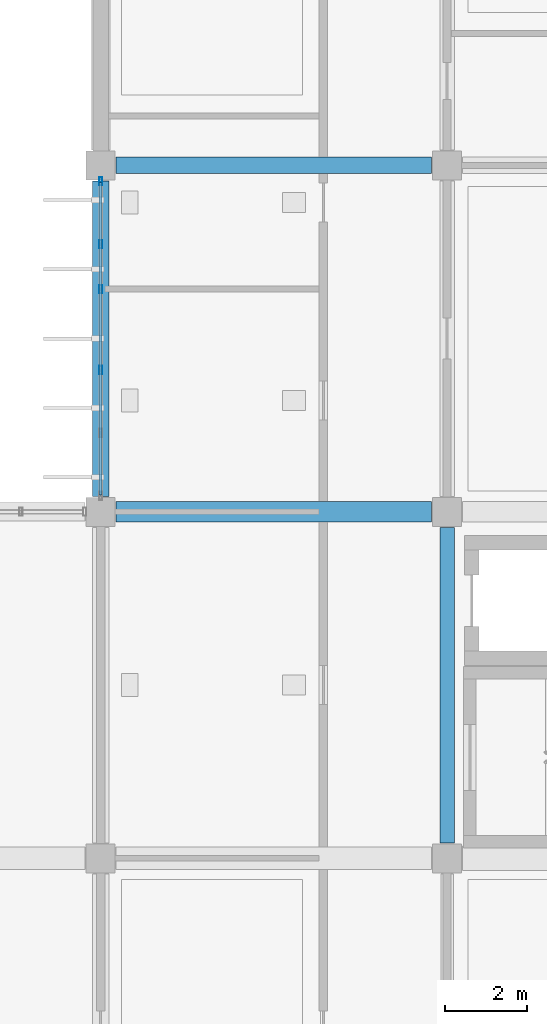
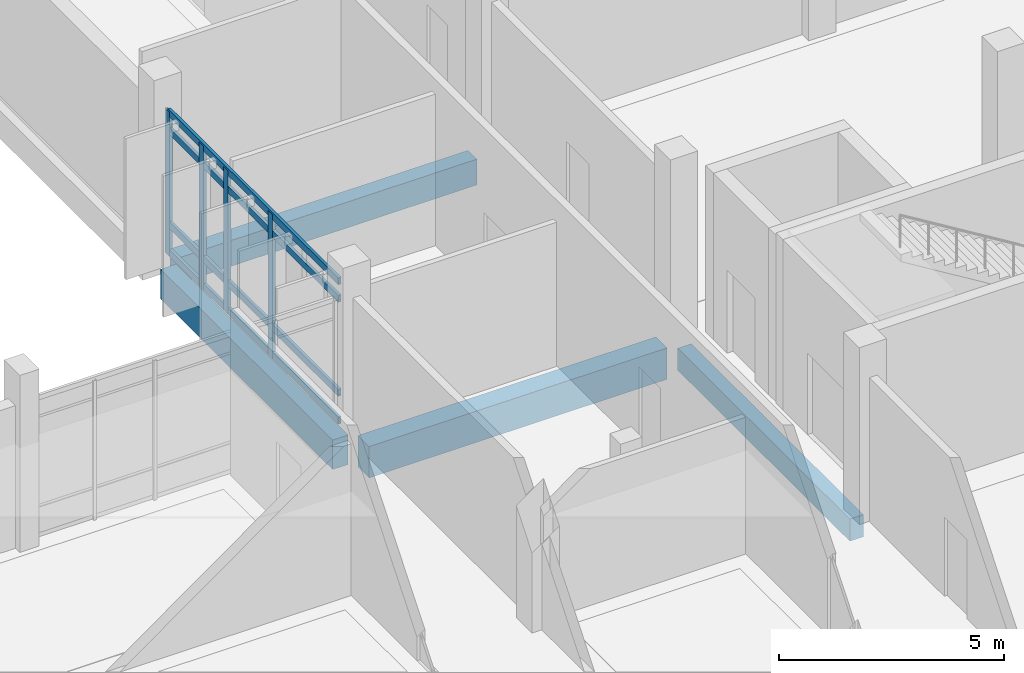
# One storey, part 16 of 95: 8 members, 4 beams, 1 element without a shape of its own.
"""IFC4 building model written with IfcOpenShell, lengths in metres."""

import ifcopenshell
import ifcopenshell.guid

model = None  # the IFC model being written
_history = None  # IfcOwnerHistory: only IFC2X3 demands one
_inside = {}  # id of a spatial element -> (the spatial element, [elements in it])
_under = {}  # id of a project, library or spatial element -> (it, [spatial elements below it])
_declared = {}  # id of a project -> (the project, [libraries it declares])
_typed = {}  # id of a type object -> (the type object, [elements of that type])
_made_of = {}  # id of a material, layer set ... -> (it, [elements and type objects made of it])


def new_model(schema):
    """Start an empty IFC model of exactly this schema.

    Asked for "IFC4X3", IfcOpenShell would pick the latest addendum, in which some entities
    have other attributes; the version numbers below select the first issue.
    IFC2X3 requires an IfcOwnerHistory on every rooted entity: one is made here for all.
    """
    global model, _history
    if schema == "IFC4X3":
        model = ifcopenshell.file(schema_version=(4, 3, 0, 0))
    else:
        model = ifcopenshell.file(schema=schema)
    _inside.clear()
    _under.clear()
    _declared.clear()
    _typed.clear()
    _made_of.clear()
    _history = None
    if model.schema == "IFC2X3":
        org = make("IfcOrganization", Name="unknown")
        user = make(
            "IfcPersonAndOrganization",
            ThePerson=make("IfcPerson", FamilyName="unknown"),
            TheOrganization=org,
        )
        app = make(
            "IfcApplication",
            ApplicationDeveloper=org,
            Version="unknown",
            ApplicationFullName="unknown",
            ApplicationIdentifier="unknown",
        )
        _history = make(
            "IfcOwnerHistory",
            OwningUser=user,
            OwningApplication=app,
            ChangeAction="ADDED",
            CreationDate=0,
        )
    return model


def make(cls, **values):
    """One entity of the class cls with the attributes given. An attribute that is None is left unset."""
    return model.create_entity(
        cls, **{name: value for name, value in values.items() if value is not None}
    )


def rooted(cls, **values):
    """An entity with a GlobalId (a new one), such as an element, a storey or a relation."""
    return make(cls, GlobalId=ifcopenshell.guid.new(), OwnerHistory=_history, **values)


def si_unit(unit_type, name, prefix=None):
    """IfcSIUnit, for example si_unit("LENGTHUNIT", "METRE", prefix="MILLI")."""
    return make("IfcSIUnit", UnitType=unit_type, Prefix=prefix, Name=name)


def assignment(units):
    """IfcUnitAssignment: the units of a project."""
    return None if units is None else make("IfcUnitAssignment", Units=units)


def point(xyz):
    """IfcCartesianPoint."""
    return None if xyz is None else make("IfcCartesianPoint", Coordinates=xyz)


def direction(xyz):
    """IfcDirection."""
    return None if xyz is None else make("IfcDirection", DirectionRatios=xyz)


def frame(location, z_axis=None, x_axis=None):
    """IfcAxis2Placement3D, a coordinate frame: its origin and axes. An axis left out is left unset."""
    return make(
        "IfcAxis2Placement3D",
        Location=point(location),
        Axis=direction(z_axis),
        RefDirection=direction(x_axis),
    )


def frame_2d(location, x_axis=None):
    """IfcAxis2Placement2D, a coordinate frame in the plane: its origin and x axis."""
    return make(
        "IfcAxis2Placement2D", Location=point(location), RefDirection=direction(x_axis)
    )


def origin():
    """The frame at (0, 0, 0) with its axes left unset."""
    return frame((0.0, 0.0, 0.0))


def origin_2d():
    """The frame at (0, 0) in the plane with its x axis left unset."""
    return frame_2d((0.0, 0.0))


def place(relative_to, where):
    """IfcLocalPlacement: puts the frame where relative to a parent placement (None: the world)."""
    return make(
        "IfcLocalPlacement", PlacementRelTo=relative_to, RelativePlacement=where
    )


def context(
    kind, dimensions, precision=None, world=None, true_north=None, identifier=None
):
    """IfcGeometricRepresentationContext, for example the 3D "Model" context."""
    return make(
        "IfcGeometricRepresentationContext",
        ContextIdentifier=identifier,
        ContextType=kind,
        CoordinateSpaceDimension=dimensions,
        Precision=precision,
        WorldCoordinateSystem=world,
        TrueNorth=true_north,
    )


def subcontext(parent, identifier, kind, view, scale=None):
    """IfcGeometricRepresentationSubContext, for example "Body" below "Model"."""
    return make(
        "IfcGeometricRepresentationSubContext",
        ContextIdentifier=identifier,
        ContextType=kind,
        ParentContext=parent,
        TargetScale=scale,
        TargetView=view,
    )


def project(units=None, contexts=None):
    """IfcProject with its units and contexts."""
    return rooted(
        "IfcProject",
        Name="project",
        RepresentationContexts=contexts,
        UnitsInContext=assignment(units),
    )


def spatial(cls, under=None, at=None, **own):
    """A site, building, storey or space (cls), placed at a placement, below another one or the project."""
    s = rooted(cls, ObjectPlacement=at, **own)
    if under is not None:
        _under.setdefault(under.id(), (under, []))[1].append(s)
    return s


def profile(cls, at=None, kind="AREA", **sizes):
    """A parametric profile (cls). Its sizes go by their IFC names, for example OverallWidth=200.0."""
    return make(cls, ProfileType=kind, Position=at, **sizes)


def rectangle(**sizes):
    """IfcRectangleProfileDef."""
    return profile("IfcRectangleProfileDef", **sizes)


def hollow_rectangle(**sizes):
    """IfcRectangleHollowProfileDef."""
    return profile("IfcRectangleHollowProfileDef", **sizes)


def extrude(swept, where, along, depth):
    """IfcExtrudedAreaSolid: the profile swept, set in the frame where, extruded along a direction by depth."""
    return make(
        "IfcExtrudedAreaSolid",
        SweptArea=swept,
        Position=where,
        ExtrudedDirection=direction(along),
        Depth=depth,
    )


def shape(context_of_items, identifier, shape_type, items):
    """IfcShapeRepresentation: the items that make up one representation, for example the "Body"."""
    return make(
        "IfcShapeRepresentation",
        ContextOfItems=context_of_items,
        RepresentationIdentifier=identifier,
        RepresentationType=shape_type,
        Items=items,
    )


def material(Name=None, Category=None):
    """IfcMaterial."""
    return make("IfcMaterial", Name=Name, Category=Category)


def layer(
    of_material, thickness, ventilated=None, Name=None, Category=None, Priority=None
):
    """IfcMaterialLayer: one layer of a wall or slab, of a material (None: an air gap)."""
    return make(
        "IfcMaterialLayer",
        Material=of_material,
        LayerThickness=thickness,
        IsVentilated=ventilated,
        Name=Name,
        Category=Category,
        Priority=Priority,
    )


def layer_set(layers, Name=None):
    """IfcMaterialLayerSet."""
    return make("IfcMaterialLayerSet", MaterialLayers=layers, LayerSetName=Name)


def material_profile(
    of_material, cross_section, Name=None, Category=None, Priority=None
):
    """IfcMaterialProfile: a cross section and its material."""
    return make(
        "IfcMaterialProfile",
        Name=Name,
        Material=of_material,
        Profile=cross_section,
        Priority=Priority,
        Category=Category,
    )


def profile_set(profiles, Name=None, composite=None):
    """IfcMaterialProfileSet."""
    return make(
        "IfcMaterialProfileSet",
        Name=Name,
        MaterialProfiles=profiles,
        CompositeProfile=composite,
    )


def made_of(thing, what):
    """Note that an element or type object is made of a material, layer set ...; save() writes the relation."""
    if what is not None:
        _made_of.setdefault(what.id(), (what, []))[1].append(thing)
    return thing


def type_object(cls, material=None, **own):
    """A type object (cls), such as IfcWallType, which elements share."""
    return made_of(rooted(cls, **own), material)


def element(
    cls,
    number,
    at=None,
    inside=None,
    cuts=None,
    type_object=None,
    material=None,
    context=None,
    identifier="Body",
    shape_type=None,
    held_by="IfcProductDefinitionShape",
    body=None,
    shapes=None,
    **own,
):
    """One element of the class cls, such as IfcWall. Its Tag is "e" and its number.

    at: its placement. inside: the storey or other place that contains it. cuts: it is an
    opening in that element (IfcRelVoidsElement). A single representation is given by context,
    identifier, shape_type and body (its items); several are given by shapes. held_by: the class
    of the entity that holds the representations. save() writes the other relations.
    """
    e = rooted(cls, Tag="e%d" % number, ObjectPlacement=at, **own)
    if body is not None:
        shapes = [shape(context, identifier, shape_type, body)]
    if shapes is not None:
        e.Representation = make(held_by, Representations=shapes)
    if inside is not None:
        _inside.setdefault(inside.id(), (inside, []))[1].append(e)
    if cuts is not None:
        rooted(
            "IfcRelVoidsElement", RelatingBuildingElement=cuts, RelatedOpeningElement=e
        )
    if type_object is not None:
        _typed.setdefault(type_object.id(), (type_object, []))[1].append(e)
    return made_of(e, material)


def aggregate(whole, parts):
    """IfcRelAggregates: a whole, such as a stair, and the parts it consists of."""
    return rooted("IfcRelAggregates", RelatingObject=whole, RelatedObjects=parts)


def save(model, path):
    """Write the relations noted so far, then the file.

    IfcRelAggregates (storeys below a building ...), IfcRelContainedInSpatialStructure (elements
    in a storey), IfcRelDefinesByType, IfcRelAssociatesMaterial and IfcRelDeclares: one each for
    every whole, place, type object, material and project.
    """
    for whole, parts in _under.values():
        aggregate(whole, parts)
    for where, things in _inside.values():
        rooted(
            "IfcRelContainedInSpatialStructure",
            RelatedElements=things,
            RelatingStructure=where,
        )
    for kind, things in _typed.values():
        rooted("IfcRelDefinesByType", RelatedObjects=things, RelatingType=kind)
    for what, things in _made_of.values():
        rooted("IfcRelAssociatesMaterial", RelatedObjects=things, RelatingMaterial=what)
    for by, libraries in _declared.values():
        rooted("IfcRelDeclares", RelatingContext=by, RelatedDefinitions=libraries)
    model.write(path)


model = new_model("IFC4")

# Units and contexts
model_context = context("Model", 3, precision=1e-05, world=origin(), true_north=direction((0.0, 1.0)))
body_context = subcontext(model_context, "Body", "Model", "MODEL_VIEW")
ifc_project = project(units=[si_unit("LENGTHUNIT", "METRE"), si_unit("AREAUNIT", "SQUARE_METRE"), si_unit("VOLUMEUNIT", "CUBIC_METRE"), si_unit("PLANEANGLEUNIT", "RADIAN"), si_unit("MASSUNIT", "GRAM", prefix="KILO")], contexts=[model_context])

# Site, building, storey
site_placement = place(None, origin())
site = spatial("IfcSite", under=ifc_project, at=site_placement, CompositionType="ELEMENT")
building_placement = place(site_placement, origin())
building = spatial("IfcBuilding", under=site, at=building_placement, Name="Vireocrest Preparatory School", CompositionType="ELEMENT")
storey_placement = place(building_placement, origin())
storey = spatial("IfcBuildingStorey", under=building, at=storey_placement, Name="L00", CompositionType="ELEMENT", Elevation=0.0)

# Curtain wall, members
ifc_material_1 = material(Name="Thermally broken aluminium EN AW-6063-T6", Category="aluminium")
ifc_layer = layer(ifc_material_1, 0.179931640625)
ifc_layer_set = layer_set([ifc_layer], Name="Thermally broken aluminium EN AW-6063-T6")
curtain_wall_type = type_object("IfcCurtainWallType", Name="Ground Storefront Curtain Wall 8400x4800", PredefinedType="USERDEFINED", material=ifc_layer_set)
curtain_wall_placement = place(storey_placement, origin())
curtain_wall = element("IfcCurtainWall", 1, at=curtain_wall_placement, inside=storey, type_object=curtain_wall_type, Name="Curtain Wall CW04 CW_L00_CW04_0420_0525_000", ObjectType="CURTAIN WALL", PredefinedType="USERDEFINED")
ifc_material_profile_1 = material_profile(ifc_material_1, hollow_rectangle(XDim=0.074951171875, YDim=0.199951171875, WallThickness=0.0048828125, at=origin_2d()), Name="ALU 75x200x5")
ifc_profile_set_1 = profile_set([ifc_material_profile_1], Name="Thermally broken aluminium EN AW-6063-T6")
member_type_1 = type_object("IfcMemberType", Name="CW Mullion 75x200x5", PredefinedType="MULLION", material=ifc_profile_set_1)
member_1_placement = place(storey_placement, frame((42.0, 55.636962890625, 0.0), z_axis=(0.0, 0.0, 1.0), x_axis=(1.0, 0.0, 0.0)))
member_1 = element("IfcMember", 2, at=member_1_placement, type_object=member_type_1, Name="CW Mullion ML3 CW_L00_CW04_0420_0525_000-3", PredefinedType="MULLION", context=body_context, shape_type="SweptSolid", body=[
    extrude(hollow_rectangle(XDim=0.074951171875, YDim=0.199951171875, WallThickness=0.0048828125, at=origin_2d()), origin(), (0.0, 0.0, 1.0), 3.9169921875),
])
member_2_placement = place(storey_placement, frame((42.0, 57.60009765625, 0.0), z_axis=(0.0, 0.0, 1.0), x_axis=(1.0, 0.0, 0.0)))
member_2 = element("IfcMember", 3, at=member_2_placement, type_object=member_type_1, Name="CW Mullion ML3 CW_L00_CW04_0420_0525_000-4", PredefinedType="MULLION", context=body_context, shape_type="SweptSolid", body=[
    extrude(hollow_rectangle(XDim=0.074951171875, YDim=0.199951171875, WallThickness=0.0048828125, at=origin_2d()), origin(), (0.0, 0.0, 1.0), 3.9169921875),
])
member_3_placement = place(storey_placement, frame((42.0, 58.68896484375, 0.0), z_axis=(0.0, 0.0, 1.0), x_axis=(1.0, 0.0, 0.0)))
member_3 = element("IfcMember", 4, at=member_3_placement, type_object=member_type_1, Name="CW Mullion ML3 CW_L00_CW04_0420_0525_000-5", PredefinedType="MULLION", context=body_context, shape_type="SweptSolid", body=[
    extrude(hollow_rectangle(XDim=0.074951171875, YDim=0.199951171875, WallThickness=0.0048828125, at=origin_2d()), origin(), (0.0, 0.0, 1.0), 3.9169921875),
])
member_4_placement = place(storey_placement, frame((42.0, 60.215087890625, 0.0), z_axis=(0.0, 0.0, 1.0), x_axis=(1.0, 0.0, 0.0)))
member_4 = element("IfcMember", 5, at=member_4_placement, type_object=member_type_1, Name="CW Mullion ML3 CW_L00_CW04_0420_0525_000-6", PredefinedType="MULLION", context=body_context, shape_type="SweptSolid", body=[
    extrude(hollow_rectangle(XDim=0.074951171875, YDim=0.199951171875, WallThickness=0.0048828125, at=origin_2d()), origin(), (0.0, 0.0, 1.0), 3.9169921875),
])
ifc_material_profile_2 = material_profile(ifc_material_1, hollow_rectangle(XDim=0.074951171875, YDim=0.18994140625, WallThickness=0.00390625, at=origin_2d()), Name="ALU 75x190x4")
ifc_profile_set_2 = profile_set([ifc_material_profile_2], Name="Thermally broken aluminium EN AW-6063-T6")
member_type_2 = type_object("IfcMemberType", Name="CW Transom 75x190x4", PredefinedType="USERDEFINED", material=ifc_profile_set_2)
member_5_placement = place(storey_placement, frame((42.0, 52.610107421875, 0.094970703125), z_axis=(0.0, 1.0, 0.0), x_axis=(-1.0, 0.0, 0.0)))
member_5 = element("IfcMember", 6, at=member_5_placement, type_object=member_type_2, Name="CW Transom TR3 CW_L00_CW04_0420_0525_000-1", ObjectType="TRANSOM", PredefinedType="USERDEFINED", context=body_context, shape_type="SweptSolid", body=[
    extrude(hollow_rectangle(XDim=0.074951171875, YDim=0.18994140625, WallThickness=0.00390625, at=origin_2d()), origin(), (0.0, 0.0, 1.0), 7.579833984375),
])
member_6_placement = place(storey_placement, frame((42.0, 52.610107421875, 0.85009765625), z_axis=(0.0, 1.0, 0.0), x_axis=(-1.0, 0.0, 0.0)))
member_6 = element("IfcMember", 7, at=member_6_placement, type_object=member_type_2, Name="CW Transom TR3 CW_L00_CW04_0420_0525_000-2", ObjectType="TRANSOM", PredefinedType="USERDEFINED", context=body_context, shape_type="SweptSolid", body=[
    extrude(hollow_rectangle(XDim=0.074951171875, YDim=0.18994140625, WallThickness=0.00390625, at=origin_2d()), origin(), (0.0, 0.0, 1.0), 7.579833984375),
])
member_7_placement = place(storey_placement, frame((42.0, 52.610107421875, 3.402099609375), z_axis=(0.0, 1.0, 0.0), x_axis=(-1.0, 0.0, 0.0)))
member_7 = element("IfcMember", 8, at=member_7_placement, type_object=member_type_2, Name="CW Transom TR3 CW_L00_CW04_0420_0525_000-3", ObjectType="TRANSOM", PredefinedType="USERDEFINED", context=body_context, shape_type="SweptSolid", body=[
    extrude(hollow_rectangle(XDim=0.074951171875, YDim=0.18994140625, WallThickness=0.00390625, at=origin_2d()), origin(), (0.0, 0.0, 1.0), 7.579833984375),
])
member_8_placement = place(storey_placement, frame((42.0, 52.610107421875, 3.876953125), z_axis=(0.0, 1.0, 0.0), x_axis=(-1.0, 0.0, 0.0)))
member_8 = element("IfcMember", 9, at=member_8_placement, type_object=member_type_2, Name="CW Transom TR3 CW_L00_CW04_0420_0525_000-4", ObjectType="TRANSOM", PredefinedType="USERDEFINED", context=body_context, shape_type="SweptSolid", body=[
    extrude(hollow_rectangle(XDim=0.074951171875, YDim=0.18994140625, WallThickness=0.00390625, at=origin_2d()), origin(), (0.0, 0.0, 1.0), 7.579833984375),
])
aggregate(curtain_wall, [member_1, member_2, member_3, member_4, member_5, member_6, member_7, member_8])

# Beams
ifc_material_2 = material(Name="Concrete 40 MPa", Category="concrete")
ifc_material_profile_3 = material_profile(ifc_material_2, rectangle(XDim=0.35009765625, YDim=0.60009765625, at=origin_2d()), Name="RC 350x600")
ifc_profile_set_3 = profile_set([ifc_material_profile_3], Name="Concrete 40 MPa")
beam_type_1 = type_object("IfcBeamType", Name="RC Classroom Girder 350x600", PredefinedType="BEAM", material=ifc_profile_set_3)
beam_1_placement = place(storey_placement, frame((50.39990234375, 44.175048828125, -0.64990234375), z_axis=(0.0, 1.0, 0.0), x_axis=(-1.0, 0.0, 0.0)))
element("IfcBeam", 10, at=beam_1_placement, inside=storey, type_object=beam_type_1, Name="Primary Girder B04 L00-0159", PredefinedType="BEAM", context=body_context, shape_type="SweptSolid", body=[
    extrude(rectangle(XDim=0.35009765625, YDim=0.60009765625, at=origin_2d()), origin(), (0.0, 0.0, 1.0), 7.64990234375),
])
ifc_material_profile_4 = material_profile(ifc_material_2, rectangle(XDim=0.39990234375, YDim=0.699951171875, at=origin_2d()), Name="RC 400x700")
ifc_profile_set_4 = profile_set([ifc_material_profile_4], Name="Concrete 40 MPa")
beam_type_2 = type_object("IfcBeamType", Name="RC Corridor Girder 400x700", PredefinedType="BEAM", material=ifc_profile_set_4)
beam_2_placement = place(storey_placement, frame((42.375, 60.60009765625, -0.699951171875), z_axis=(1.0, 0.0, 0.0), x_axis=(0.0, 1.0, 0.0)))
element("IfcBeam", 11, at=beam_2_placement, inside=storey, type_object=beam_type_2, Name="Primary Girder B08 L00-0078", PredefinedType="BEAM", context=body_context, shape_type="SweptSolid", body=[
    extrude(rectangle(XDim=0.39990234375, YDim=0.699951171875, at=origin_2d()), origin(), (0.0, 0.0, 1.0), 7.64990234375),
])
ifc_material_profile_5 = material_profile(ifc_material_2, rectangle(XDim=0.39990234375, YDim=0.800048828125, at=origin_2d()), Name="RC 400x800")
ifc_profile_set_5 = profile_set([ifc_material_profile_5], Name="Concrete 40 MPa")
beam_type_3 = type_object("IfcBeamType", Name="RC Library Reading Girder 400x800", PredefinedType="BEAM", material=ifc_profile_set_5)
beam_3_placement = place(storey_placement, frame((42.0, 52.574951171875, -0.75), z_axis=(0.0, 1.0, 0.0), x_axis=(-1.0, 0.0, 0.0)))
element("IfcBeam", 12, at=beam_3_placement, inside=storey, type_object=beam_type_3, Name="Primary Girder B10 L00-0147", PredefinedType="BEAM", context=body_context, shape_type="SweptSolid", body=[
    extrude(rectangle(XDim=0.39990234375, YDim=0.800048828125, at=origin_2d()), origin(), (0.0, 0.0, 1.0), 7.650146484375),
])
ifc_material_profile_6 = material_profile(ifc_material_2, rectangle(XDim=0.5, YDim=0.85009765625, at=origin_2d()), Name="RC 500x850")
ifc_profile_set_6 = profile_set([ifc_material_profile_6], Name="Concrete 40 MPa")
beam_type_4 = type_object("IfcBeamType", Name="RC Podium Girder 500x850", PredefinedType="BEAM", material=ifc_profile_set_6)
beam_4_placement = place(storey_placement, frame((42.375, 52.199951171875, -0.77490234375), z_axis=(1.0, 0.0, 0.0), x_axis=(0.0, 1.0, 0.0)))
element("IfcBeam", 13, at=beam_4_placement, inside=storey, type_object=beam_type_4, Name="Primary Girder B14 L00-0066", PredefinedType="BEAM", context=body_context, shape_type="SweptSolid", body=[
    extrude(rectangle(XDim=0.5, YDim=0.85009765625, at=origin_2d()), origin(), (0.0, 0.0, 1.0), 7.64990234375),
])

save(model, "model.ifc")
